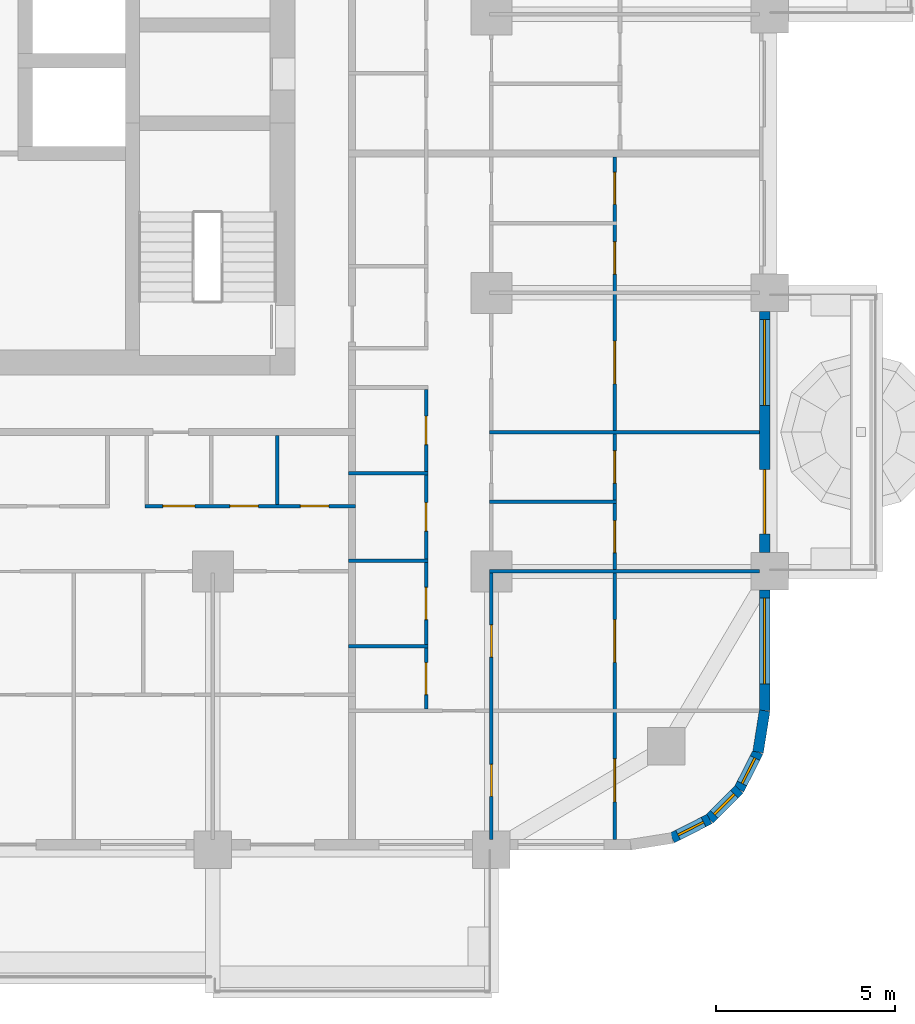
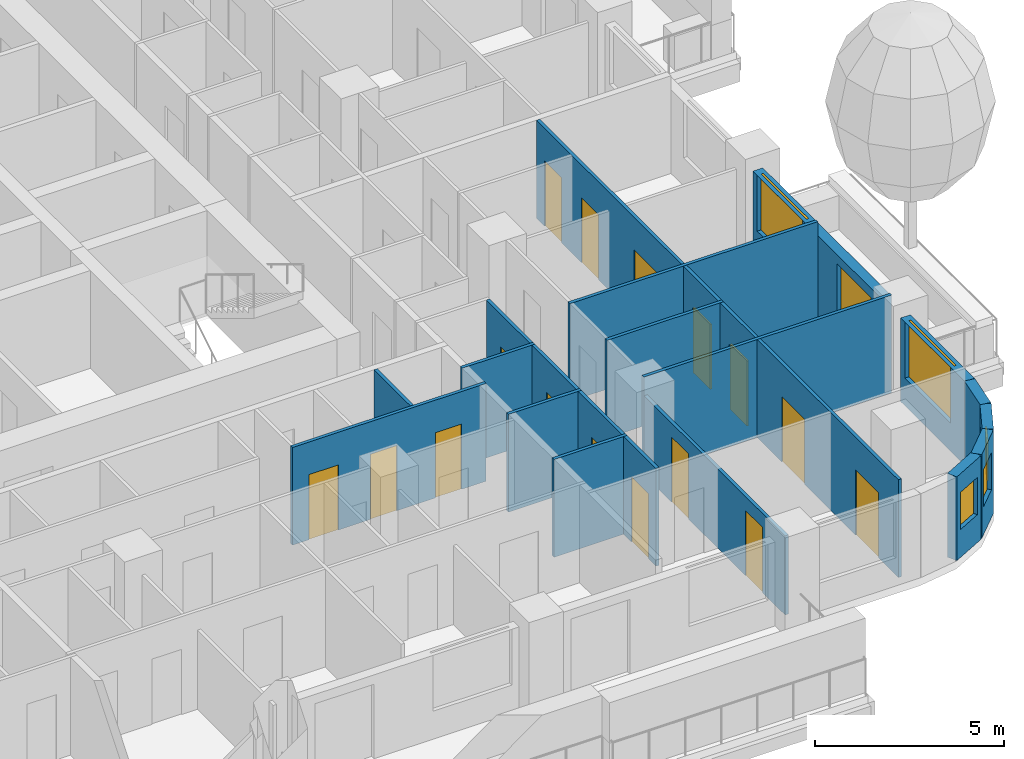
# One storey, part 8 of 19: 17 doors, 17 walls, 5 windows, 22 openings.
"""IFC4 building model written with IfcOpenShell, lengths in metres."""

from ifc_helpers import new_model, si_unit, direction, frame, frame_2d, origin, place, context, subcontext, project, spatial, rectangle, extrude, material, layer, layer_set, type_object, element, fill, save


model = new_model("IFC4")

# Units and contexts
model_context = context("Model", 3, precision=1e-05, world=origin(), true_north=direction((0.0, 1.0)))
body_context = subcontext(model_context, "Body", "Model", "MODEL_VIEW")
ifc_project = project(units=[si_unit("LENGTHUNIT", "METRE"), si_unit("AREAUNIT", "SQUARE_METRE"), si_unit("VOLUMEUNIT", "CUBIC_METRE"), si_unit("PLANEANGLEUNIT", "RADIAN"), si_unit("MASSUNIT", "GRAM", prefix="KILO")], contexts=[model_context])

# Site, building, storey
site_placement = place(None, origin())
site = spatial("IfcSite", under=ifc_project, at=site_placement, CompositionType="ELEMENT")
building_placement = place(site_placement, origin())
building = spatial("IfcBuilding", under=site, at=building_placement, Name="Ludao Terraces", CompositionType="ELEMENT")
storey_placement = place(building_placement, frame((0.0, 0.0, 36.5)))
storey = spatial("IfcBuildingStorey", under=building, at=storey_placement, Name="L09", CompositionType="ELEMENT", Elevation=36.5)

# Wall, opening, window
ifc_material_1 = material(Name="Granite cladding", Category="masonry")
ifc_layer_1 = layer(ifc_material_1, 0.0400390625, Category="stone")
ifc_material_2 = material(Name="Mineral wool")
ifc_layer_2 = layer(ifc_material_2, 0.06005859375)
ifc_material_3 = material(Name="Concrete C40", Category="concrete")
ifc_layer_3 = layer(ifc_material_3, 0.199951171875, Category="concrete")
ifc_layer_set_1 = layer_set([ifc_layer_1, ifc_layer_2, ifc_layer_3], Name="ENV Stone-clad wall 300")
wall_type_1 = type_object("IfcWallType", Name="ENV Stone-clad wall 300", PredefinedType="SOLIDWALL", material=ifc_layer_set_1)
wall_1_placement = place(storey_placement, frame((108.25, 45.5, 0.0), z_axis=(0.0, 0.0, 1.0), x_axis=(0.0, 1.0, 0.0)))
wall_1 = element("IfcWall", 1, at=wall_1_placement, inside=storey, type_object=wall_type_1, Name="EW-L09-E1", PredefinedType="SOLIDWALL", context=body_context, shape_type="SweptSolid", body=[
    extrude(rectangle(XDim=3.375, YDim=0.300048828125, at=frame_2d((1.6875, 0.0))), origin(), (0.0, 0.0, 1.0), 2.699951171875),
])
opening_1_placement = place(wall_1_placement, frame((0.75, 0.0, 0.89990234375)))
opening_1 = element("IfcOpeningElement", 2, at=opening_1_placement, cuts=wall_1, Name="Opening W1", PredefinedType="OPENING", context=body_context, shape_type="SweptSolid", body=[
    extrude(rectangle(XDim=2.39990234375, YDim=1.800048828125, at=frame_2d((1.199951171875, 0.89990234375))), frame((0.0, 0.16015625, 0.0), z_axis=(0.0, -1.0, 0.0), x_axis=(1.0, 0.0, 0.0)), (0.0, 0.0, 1.0), 0.320068359375),
])
ifc_material_4 = material(Name="Clear glass in aluminium frame", Category="aluminium")
ifc_layer_4 = layer(ifc_material_4, 0.06005859375)
ifc_layer_set_2 = layer_set([ifc_layer_4], Name="ENV Window W1 2400x1800")
window_type_1 = type_object("IfcWindowType", Name="ENV Window W1 2400x1800", PartitioningType="DOUBLE_PANEL_VERTICAL", PredefinedType="WINDOW", material=ifc_layer_set_2)
window_1_placement = place(opening_1_placement, origin())
window_1 = element("IfcWindow", 3, at=window_1_placement, inside=storey, type_object=window_type_1, Name="W-L09-E1-1", OverallHeight=1.800048828125, OverallWidth=2.39990234375, PartitioningType="DOUBLE_PANEL_VERTICAL", PredefinedType="WINDOW", context=body_context, shape_type="SweptSolid", body=[
    extrude(rectangle(XDim=2.39990234375, YDim=1.800048828125, at=frame_2d((1.199951171875, 0.89990234375))), frame((0.0, 0.030029296875, 0.0), z_axis=(0.0, -1.0, 0.0), x_axis=(1.0, 0.0, 0.0)), (0.0, 0.0, 1.0), 0.06005859375),
])
fill(opening_1, window_1)

# Wall, openings, door, window
wall_2_placement = place(storey_placement, frame((108.25, 49.925048828125, 0.0), z_axis=(0.0, 0.0, 1.0), x_axis=(0.0, 1.0, 0.0)))
wall_2 = element("IfcWall", 4, at=wall_2_placement, inside=storey, type_object=wall_type_1, Name="EW-L09-E2", PredefinedType="SOLIDWALL", context=body_context, shape_type="SweptSolid", body=[
    extrude(rectangle(XDim=6.75, YDim=0.300048828125, at=frame_2d((3.375, 0.0))), origin(), (0.0, 0.0, 1.0), 2.699951171875),
])
opening_2_placement = place(wall_2_placement, frame((0.52490234375, 0.0, 0.0)))
opening_2 = element("IfcOpeningElement", 5, at=opening_2_placement, cuts=wall_2, Name="Opening BD", PredefinedType="OPENING", context=body_context, shape_type="SweptSolid", body=[
    extrude(rectangle(XDim=1.800048828125, YDim=2.39990234375, at=frame_2d((0.89990234375, 1.199951171875))), frame((0.0, 0.16015625, 0.0), z_axis=(0.0, -1.0, 0.0), x_axis=(1.0, 0.0, 0.0)), (0.0, 0.0, 1.0), 0.320068359375),
])
opening_3_placement = place(wall_2_placement, frame((4.125, 0.0, 0.89990234375)))
opening_3 = element("IfcOpeningElement", 6, at=opening_3_placement, cuts=wall_2, Name="Opening W1", PredefinedType="OPENING", context=body_context, shape_type="SweptSolid", body=[
    extrude(rectangle(XDim=2.39990234375, YDim=1.800048828125, at=frame_2d((1.199951171875, 0.89990234375))), frame((0.0, 0.16015625, 0.0), z_axis=(0.0, -1.0, 0.0), x_axis=(1.0, 0.0, 0.0)), (0.0, 0.0, 1.0), 0.320068359375),
])
ifc_material_5 = material(Name="Aluminium glazed door", Category="aluminium")
ifc_layer_5 = layer(ifc_material_5, 0.06005859375)
ifc_layer_set_3 = layer_set([ifc_layer_5], Name="ENV Balcony door BD 1800x2400")
door_type_1 = type_object("IfcDoorType", Name="ENV Balcony door BD 1800x2400", OperationType="DOUBLE_DOOR_SINGLE_SWING", PredefinedType="DOOR", material=ifc_layer_set_3)
door_1_placement = place(opening_2_placement, origin())
door_1 = element("IfcDoor", 7, at=door_1_placement, inside=storey, type_object=door_type_1, Name="BD-L09-E2-1", OperationType="DOUBLE_DOOR_SINGLE_SWING", OverallHeight=2.39990234375, OverallWidth=1.800048828125, PredefinedType="DOOR", context=body_context, shape_type="SweptSolid", body=[
    extrude(rectangle(XDim=1.800048828125, YDim=2.39990234375, at=frame_2d((0.89990234375, 1.199951171875))), frame((0.0, 0.02490234375, 0.0), z_axis=(0.0, -1.0, 0.0), x_axis=(1.0, 0.0, 0.0)), (0.0, 0.0, 1.0), 0.050048828125),
])
fill(opening_2, door_1)
window_2_placement = place(opening_3_placement, origin())
window_2 = element("IfcWindow", 8, at=window_2_placement, inside=storey, type_object=window_type_1, Name="W-L09-E2-2", OverallHeight=1.800048828125, OverallWidth=2.39990234375, PartitioningType="DOUBLE_PANEL_VERTICAL", PredefinedType="WINDOW", context=body_context, shape_type="SweptSolid", body=[
    extrude(rectangle(XDim=2.39990234375, YDim=1.800048828125, at=frame_2d((1.199951171875, 0.89990234375))), frame((0.0, 0.030029296875, 0.0), z_axis=(0.0, -1.0, 0.0), x_axis=(1.0, 0.0, 0.0)), (0.0, 0.0, 1.0), 0.06005859375),
])
fill(opening_3, window_2)

# Wall, opening, window
wall_3_placement = place(storey_placement, frame((105.65869140625, 41.93359375, 0.0), z_axis=(0.0, 0.0, 1.0), x_axis=(0.890988677504, 0.454025524128, 0.0)))
wall_3 = element("IfcWall", 9, at=wall_3_placement, inside=storey, type_object=wall_type_1, Name="EW-L09-SE2", PredefinedType="SOLIDWALL", context=body_context, shape_type="SweptSolid", body=[
    extrude(rectangle(XDim=1.17333984375, YDim=0.300048828125, at=frame_2d((0.586669921875, 0.0))), origin(), (0.0, 0.0, 1.0), 2.699951171875),
])
opening_4_placement = place(wall_3_placement, frame((0.1865234375, 0.0, 0.89990234375)))
opening_4 = element("IfcOpeningElement", 10, at=opening_4_placement, cuts=wall_3, Name="Opening W3", PredefinedType="OPENING", context=body_context, shape_type="SweptSolid", body=[
    extrude(rectangle(XDim=0.800048828125, YDim=1.199951171875, at=frame_2d((0.39990234375, 0.60009765625))), frame((0.0, 0.16015625, 0.0), z_axis=(0.0, -1.0, 0.0), x_axis=(1.0, 0.0, 0.0)), (0.0, 0.0, 1.0), 0.320068359375),
])
ifc_layer_6 = layer(ifc_material_4, 0.06005859375)
ifc_layer_set_4 = layer_set([ifc_layer_6], Name="ENV Window W3 800x1200")
window_type_2 = type_object("IfcWindowType", Name="ENV Window W3 800x1200", PartitioningType="SINGLE_PANEL", PredefinedType="WINDOW", material=ifc_layer_set_4)
window_3_placement = place(opening_4_placement, origin())
window_3 = element("IfcWindow", 11, at=window_3_placement, inside=storey, type_object=window_type_2, Name="W-L09-SE2", OverallHeight=1.199951171875, OverallWidth=0.800048828125, PartitioningType="SINGLE_PANEL", PredefinedType="WINDOW", context=body_context, shape_type="SweptSolid", body=[
    extrude(rectangle(XDim=0.800048828125, YDim=1.199951171875, at=frame_2d((0.39990234375, 0.60009765625))), frame((0.0, 0.030029296875, 0.0), z_axis=(0.0, -1.0, 0.0), x_axis=(1.0, 0.0, 0.0)), (0.0, 0.0, 1.0), 0.06005859375),
])
fill(opening_4, window_3)

wall_4_placement = place(storey_placement, frame((106.7041015625, 42.46630859375, 0.0), z_axis=(0.0, 0.0, 1.0), x_axis=(0.707106781187, 0.707106781187, 0.0)))
wall_4 = element("IfcWall", 12, at=wall_4_placement, inside=storey, type_object=wall_type_1, Name="EW-L09-SE3", PredefinedType="SOLIDWALL", context=body_context, shape_type="SweptSolid", body=[
    extrude(rectangle(XDim=1.173095703125, YDim=0.300048828125, at=frame_2d((0.58642578125, 0.0))), origin(), (0.0, 0.0, 1.0), 2.699951171875),
])
opening_5_placement = place(wall_4_placement, frame((0.1865234375, 0.0, 0.89990234375)))
opening_5 = element("IfcOpeningElement", 13, at=opening_5_placement, cuts=wall_4, Name="Opening W3", PredefinedType="OPENING", context=body_context, shape_type="SweptSolid", body=[
    extrude(rectangle(XDim=0.800048828125, YDim=1.199951171875, at=frame_2d((0.39990234375, 0.60009765625))), frame((0.0, 0.16015625, 0.0), z_axis=(0.0, -1.0, 0.0), x_axis=(1.0, 0.0, 0.0)), (0.0, 0.0, 1.0), 0.320068359375),
])
window_4_placement = place(opening_5_placement, origin())
window_4 = element("IfcWindow", 14, at=window_4_placement, inside=storey, type_object=window_type_2, Name="W-L09-SE3", OverallHeight=1.199951171875, OverallWidth=0.800048828125, PartitioningType="SINGLE_PANEL", PredefinedType="WINDOW", context=body_context, shape_type="SweptSolid", body=[
    extrude(rectangle(XDim=0.800048828125, YDim=1.199951171875, at=frame_2d((0.39990234375, 0.60009765625))), frame((0.0, 0.030029296875, 0.0), z_axis=(0.0, -1.0, 0.0), x_axis=(1.0, 0.0, 0.0)), (0.0, 0.0, 1.0), 0.06005859375),
])
fill(opening_5, window_4)

wall_5_placement = place(storey_placement, frame((107.53369140625, 43.2958984375, 0.0), z_axis=(0.0, 0.0, 1.0), x_axis=(0.454025524128, 0.890988677504, 0.0)))
wall_5 = element("IfcWall", 15, at=wall_5_placement, inside=storey, type_object=wall_type_1, Name="EW-L09-SE4", PredefinedType="SOLIDWALL", context=body_context, shape_type="SweptSolid", body=[
    extrude(rectangle(XDim=1.17333984375, YDim=0.300048828125, at=frame_2d((0.586669921875, 0.0))), origin(), (0.0, 0.0, 1.0), 2.699951171875),
])
opening_6_placement = place(wall_5_placement, frame((0.1865234375, 0.0, 0.89990234375)))
opening_6 = element("IfcOpeningElement", 16, at=opening_6_placement, cuts=wall_5, Name="Opening W3", PredefinedType="OPENING", context=body_context, shape_type="SweptSolid", body=[
    extrude(rectangle(XDim=0.800048828125, YDim=1.199951171875, at=frame_2d((0.39990234375, 0.60009765625))), frame((0.0, 0.16015625, 0.0), z_axis=(0.0, -1.0, 0.0), x_axis=(1.0, 0.0, 0.0)), (0.0, 0.0, 1.0), 0.320068359375),
])
window_5_placement = place(opening_6_placement, origin())
window_5 = element("IfcWindow", 17, at=window_5_placement, inside=storey, type_object=window_type_2, Name="W-L09-SE4", OverallHeight=1.199951171875, OverallWidth=0.800048828125, PartitioningType="SINGLE_PANEL", PredefinedType="WINDOW", context=body_context, shape_type="SweptSolid", body=[
    extrude(rectangle(XDim=0.800048828125, YDim=1.199951171875, at=frame_2d((0.39990234375, 0.60009765625))), frame((0.0, 0.030029296875, 0.0), z_axis=(0.0, -1.0, 0.0), x_axis=(1.0, 0.0, 0.0)), (0.0, 0.0, 1.0), 0.06005859375),
])
fill(opening_6, window_5)

# Walls
wall_6_placement = place(storey_placement, frame((108.06640625, 44.34130859375, 0.0), z_axis=(0.0, 0.0, 1.0), x_axis=(0.156496880861, 0.987678452879, 0.0)))
element("IfcWall", 18, at=wall_6_placement, inside=storey, type_object=wall_type_1, Name="EW-L09-SE5", PredefinedType="SOLIDWALL", context=body_context, shape_type="SweptSolid", body=[
    extrude(rectangle(XDim=1.173095703125, YDim=0.300048828125, at=frame_2d((0.58642578125, 0.0))), origin(), (0.0, 0.0, 1.0), 2.699951171875),
])
ifc_material_6 = material(Name="Gypsum plasterboard", Category="gypsum")
ifc_layer_7 = layer(ifc_material_6, 0.012451171875, Category="gypsum")
ifc_layer_8 = layer(ifc_material_2, 0.06005859375, Name="insulation")
ifc_material_7 = material(Name="Steel Q235", Category="steel")
ifc_layer_9 = layer(ifc_material_7, 0.014892578125, Name="stud")
ifc_layer_10 = layer(ifc_material_6, 0.012451171875, Category="gypsum")
ifc_layer_set_5 = layer_set([ifc_layer_7, ifc_layer_8, ifc_layer_9, ifc_layer_10], Name="INT Partition 100")
wall_type_2 = type_object("IfcWallType", Name="INT Partition 100", PredefinedType="PARTITIONING", material=ifc_layer_set_5)
wall_7_placement = place(storey_placement, frame((96.60009765625, 47.300048828125, 0.0), z_axis=(0.0, 0.0, 1.0), x_axis=(1.0, 0.0, 0.0)))
element("IfcWall", 19, at=wall_7_placement, inside=storey, type_object=wall_type_2, Name="PW-L09-PW004", PredefinedType="PARTITIONING", context=body_context, shape_type="SweptSolid", body=[
    extrude(rectangle(XDim=2.219970703125, YDim=0.10009765625, at=frame_2d((1.10986328125, 0.0))), origin(), (0.0, 0.0, 1.0), 3.14990234375),
])
wall_8_placement = place(storey_placement, frame((100.550048828125, 49.39990234375, 0.0), z_axis=(0.0, 0.0, 1.0), x_axis=(1.0, 0.0, 0.0)))
element("IfcWall", 20, at=wall_8_placement, inside=storey, type_object=wall_type_2, Name="PW-L09-PW008", PredefinedType="PARTITIONING", context=body_context, shape_type="SweptSolid", body=[
    extrude(rectangle(XDim=7.550048828125, YDim=0.10009765625, at=frame_2d((3.77490234375, 0.0))), origin(), (0.0, 0.0, 1.0), 3.14990234375),
])
wall_9_placement = place(storey_placement, frame((96.60009765625, 49.699951171875, 0.0), z_axis=(0.0, 0.0, 1.0), x_axis=(1.0, 0.0, 0.0)))
element("IfcWall", 21, at=wall_9_placement, inside=storey, type_object=wall_type_2, Name="PW-L09-PW009", PredefinedType="PARTITIONING", context=body_context, shape_type="SweptSolid", body=[
    extrude(rectangle(XDim=2.219970703125, YDim=0.10009765625, at=frame_2d((1.10986328125, 0.0))), origin(), (0.0, 0.0, 1.0), 3.14990234375),
])

# Wall, openings, doors
wall_10_placement = place(storey_placement, frame((90.900146484375, 51.22998046875, 0.0), z_axis=(0.0, 0.0, 1.0), x_axis=(1.0, 0.0, 0.0)))
wall_10 = element("IfcWall", 22, at=wall_10_placement, inside=storey, type_object=wall_type_2, Name="PW-L09-PW013", PredefinedType="PARTITIONING", context=body_context, shape_type="SweptSolid", body=[
    extrude(rectangle(XDim=5.89990234375, YDim=0.10009765625, at=frame_2d((2.949951171875, 0.0))), origin(), (0.0, 0.0, 1.0), 3.14990234375),
])
opening_7_placement = place(wall_10_placement, frame((0.5, 0.0, 0.0)))
opening_7 = element("IfcOpeningElement", 23, at=opening_7_placement, cuts=wall_10, Name="Opening R02-039", PredefinedType="OPENING", context=body_context, shape_type="SweptSolid", body=[
    extrude(rectangle(XDim=0.89990234375, YDim=2.10009765625, at=frame_2d((0.449951171875, 1.050048828125))), frame((0.0, 0.06005859375, 0.0), z_axis=(0.0, -1.0, 0.0), x_axis=(1.0, 0.0, 0.0)), (0.0, 0.0, 1.0), 0.1201171875),
])
opening_8_placement = place(wall_10_placement, frame((2.375, 0.0, 0.0)))
opening_8 = element("IfcOpeningElement", 24, at=opening_8_placement, cuts=wall_10, Name="Opening R02-040", PredefinedType="OPENING", context=body_context, shape_type="SweptSolid", body=[
    extrude(rectangle(XDim=0.800048828125, YDim=2.10009765625, at=frame_2d((0.39990234375, 1.050048828125))), frame((0.0, 0.06005859375, 0.0), z_axis=(0.0, -1.0, 0.0), x_axis=(1.0, 0.0, 0.0)), (0.0, 0.0, 1.0), 0.1201171875),
])
opening_9_placement = place(wall_10_placement, frame((4.35009765625, 0.0, 0.0)))
opening_9 = element("IfcOpeningElement", 25, at=opening_9_placement, cuts=wall_10, Name="Opening R02-041", PredefinedType="OPENING", context=body_context, shape_type="SweptSolid", body=[
    extrude(rectangle(XDim=0.800048828125, YDim=2.10009765625, at=frame_2d((0.39990234375, 1.050048828125))), frame((0.0, 0.06005859375, 0.0), z_axis=(0.0, -1.0, 0.0), x_axis=(1.0, 0.0, 0.0)), (0.0, 0.0, 1.0), 0.1201171875),
])
ifc_material_8 = material(Name="Timber door leaf", Category="wood")
door_type_2 = type_object("IfcDoorType", Name="INT Bathroom door 900", OperationType="SINGLE_SWING_LEFT", PredefinedType="DOOR", material=ifc_material_8)
door_2_placement = place(opening_7_placement, origin())
door_2 = element("IfcDoor", 26, at=door_2_placement, inside=storey, type_object=door_type_2, Name="DOOR 039", OperationType="SINGLE_SWING_LEFT", OverallHeight=2.10009765625, OverallWidth=0.89990234375, PredefinedType="DOOR", context=body_context, shape_type="SweptSolid", body=[
    extrude(rectangle(XDim=0.89990234375, YDim=2.10009765625, at=frame_2d((0.449951171875, 1.050048828125))), frame((0.0, 0.02490234375, 0.0), z_axis=(0.0, -1.0, 0.0), x_axis=(1.0, 0.0, 0.0)), (0.0, 0.0, 1.0), 0.050048828125),
])
fill(opening_7, door_2)
door_type_3 = type_object("IfcDoorType", Name="INT Store door 800", OperationType="SINGLE_SWING_LEFT", PredefinedType="DOOR", material=ifc_material_8)
door_3_placement = place(opening_8_placement, origin())
door_3 = element("IfcDoor", 27, at=door_3_placement, inside=storey, type_object=door_type_3, Name="DOOR 040", OperationType="SINGLE_SWING_LEFT", OverallHeight=2.10009765625, OverallWidth=0.800048828125, PredefinedType="DOOR", context=body_context, shape_type="SweptSolid", body=[
    extrude(rectangle(XDim=0.800048828125, YDim=2.10009765625, at=frame_2d((0.39990234375, 1.050048828125))), frame((0.0, 0.02490234375, 0.0), z_axis=(0.0, -1.0, 0.0), x_axis=(1.0, 0.0, 0.0)), (0.0, 0.0, 1.0), 0.050048828125),
])
fill(opening_8, door_3)
door_4_placement = place(opening_9_placement, origin())
door_4 = element("IfcDoor", 28, at=door_4_placement, inside=storey, type_object=door_type_3, Name="DOOR 041", OperationType="SINGLE_SWING_RIGHT", OverallHeight=2.10009765625, OverallWidth=0.800048828125, PredefinedType="DOOR", context=body_context, shape_type="SweptSolid", body=[
    extrude(rectangle(XDim=0.800048828125, YDim=2.10009765625, at=frame_2d((0.39990234375, 1.050048828125))), frame((0.0, 0.02490234375, 0.0), z_axis=(0.0, -1.0, 0.0), x_axis=(1.0, 0.0, 0.0)), (0.0, 0.0, 1.0), 0.050048828125),
])
fill(opening_9, door_4)

# Walls
wall_11_placement = place(storey_placement, frame((100.550048828125, 51.35009765625, 0.0), z_axis=(0.0, 0.0, 1.0), x_axis=(1.0, 0.0, 0.0)))
element("IfcWall", 29, at=wall_11_placement, inside=storey, type_object=wall_type_2, Name="PW-L09-PW015", PredefinedType="PARTITIONING", context=body_context, shape_type="SweptSolid", body=[
    extrude(rectangle(XDim=3.550048828125, YDim=0.10009765625, at=frame_2d((1.77490234375, 0.0))), origin(), (0.0, 0.0, 1.0), 3.14990234375),
])
wall_12_placement = place(storey_placement, frame((96.60009765625, 52.14990234375, 0.0), z_axis=(0.0, 0.0, 1.0), x_axis=(1.0, 0.0, 0.0)))
element("IfcWall", 30, at=wall_12_placement, inside=storey, type_object=wall_type_2, Name="PW-L09-PW016", PredefinedType="PARTITIONING", context=body_context, shape_type="SweptSolid", body=[
    extrude(rectangle(XDim=2.219970703125, YDim=0.10009765625, at=frame_2d((1.10986328125, 0.0))), origin(), (0.0, 0.0, 1.0), 3.14990234375),
])
wall_13_placement = place(storey_placement, frame((100.550048828125, 53.300048828125, 0.0), z_axis=(0.0, 0.0, 1.0), x_axis=(1.0, 0.0, 0.0)))
element("IfcWall", 31, at=wall_13_placement, inside=storey, type_object=wall_type_2, Name="PW-L09-PW020", PredefinedType="PARTITIONING", context=body_context, shape_type="SweptSolid", body=[
    extrude(rectangle(XDim=7.550048828125, YDim=0.10009765625, at=frame_2d((3.77490234375, 0.0))), origin(), (0.0, 0.0, 1.0), 3.14990234375),
])
wall_14_placement = place(storey_placement, frame((94.60009765625, 51.280029296875, 0.0), z_axis=(0.0, 0.0, 1.0), x_axis=(0.0, 1.0, 0.0)))
element("IfcWall", 32, at=wall_14_placement, inside=storey, type_object=wall_type_2, Name="PW-L09-PW114", PredefinedType="PARTITIONING", context=body_context, shape_type="SweptSolid", body=[
    extrude(rectangle(XDim=1.920166015625, YDim=0.10009765625, at=frame_2d((0.9599609375, 0.0))), origin(), (0.0, 0.0, 1.0), 3.14990234375),
])

# Wall, openings, doors
wall_15_placement = place(storey_placement, frame((98.77001953125, 45.550048828125, 0.0), z_axis=(0.0, 0.0, 1.0), x_axis=(0.0, 1.0, 0.0)))
wall_15 = element("IfcWall", 33, at=wall_15_placement, inside=storey, type_object=wall_type_2, Name="PW-L09-PW118", PredefinedType="PARTITIONING", context=body_context, shape_type="SweptSolid", body=[
    extrude(rectangle(XDim=8.949951171875, YDim=0.10009765625, at=frame_2d((4.47509765625, 0.0))), origin(), (0.0, 0.0, 1.0), 3.14990234375),
])
opening_10_placement = place(wall_15_placement, frame((0.39990234375, 0.0, 0.0)))
opening_10 = element("IfcOpeningElement", 34, at=opening_10_placement, cuts=wall_15, Name="Opening R02-016", PredefinedType="OPENING", context=body_context, shape_type="SweptSolid", body=[
    extrude(rectangle(XDim=0.89990234375, YDim=2.10009765625, at=frame_2d((0.449951171875, 1.050048828125))), frame((0.0, 0.06005859375, 0.0), z_axis=(0.0, -1.0, 0.0), x_axis=(1.0, 0.0, 0.0)), (0.0, 0.0, 1.0), 0.1201171875),
])
opening_11_placement = place(wall_15_placement, frame((2.5, 0.0, 0.0)))
opening_11 = element("IfcOpeningElement", 35, at=opening_11_placement, cuts=wall_15, Name="Opening R02-022", PredefinedType="OPENING", context=body_context, shape_type="SweptSolid", body=[
    extrude(rectangle(XDim=0.89990234375, YDim=2.10009765625, at=frame_2d((0.449951171875, 1.050048828125))), frame((0.0, 0.06005859375, 0.0), z_axis=(0.0, -1.0, 0.0), x_axis=(1.0, 0.0, 0.0)), (0.0, 0.0, 1.0), 0.1201171875),
])
opening_12_placement = place(wall_15_placement, frame((4.97509765625, 0.0, 0.0)))
opening_12 = element("IfcOpeningElement", 36, at=opening_12_placement, cuts=wall_15, Name="Opening R02-032", PredefinedType="OPENING", context=body_context, shape_type="SweptSolid", body=[
    extrude(rectangle(XDim=0.800048828125, YDim=2.10009765625, at=frame_2d((0.39990234375, 1.050048828125))), frame((0.0, 0.06005859375, 0.0), z_axis=(0.0, -1.0, 0.0), x_axis=(1.0, 0.0, 0.0)), (0.0, 0.0, 1.0), 0.1201171875),
])
opening_13_placement = place(wall_15_placement, frame((7.39990234375, 0.0, 0.0)))
opening_13 = element("IfcOpeningElement", 37, at=opening_13_placement, cuts=wall_15, Name="Opening R02-049", PredefinedType="OPENING", context=body_context, shape_type="SweptSolid", body=[
    extrude(rectangle(XDim=0.800048828125, YDim=2.10009765625, at=frame_2d((0.39990234375, 1.050048828125))), frame((0.0, 0.06005859375, 0.0), z_axis=(0.0, -1.0, 0.0), x_axis=(1.0, 0.0, 0.0)), (0.0, 0.0, 1.0), 0.1201171875),
])
door_5_placement = place(opening_10_placement, origin())
door_5 = element("IfcDoor", 38, at=door_5_placement, inside=storey, type_object=door_type_2, Name="DOOR 016", OperationType="SINGLE_SWING_LEFT", OverallHeight=2.10009765625, OverallWidth=0.89990234375, PredefinedType="DOOR", context=body_context, shape_type="SweptSolid", body=[
    extrude(rectangle(XDim=0.89990234375, YDim=2.10009765625, at=frame_2d((0.449951171875, 1.050048828125))), frame((0.0, 0.02490234375, 0.0), z_axis=(0.0, -1.0, 0.0), x_axis=(1.0, 0.0, 0.0)), (0.0, 0.0, 1.0), 0.050048828125),
])
fill(opening_10, door_5)
door_6_placement = place(opening_11_placement, origin())
door_6 = element("IfcDoor", 39, at=door_6_placement, inside=storey, type_object=door_type_2, Name="DOOR 022", OperationType="SINGLE_SWING_LEFT", OverallHeight=2.10009765625, OverallWidth=0.89990234375, PredefinedType="DOOR", context=body_context, shape_type="SweptSolid", body=[
    extrude(rectangle(XDim=0.89990234375, YDim=2.10009765625, at=frame_2d((0.449951171875, 1.050048828125))), frame((0.0, 0.02490234375, 0.0), z_axis=(0.0, -1.0, 0.0), x_axis=(1.0, 0.0, 0.0)), (0.0, 0.0, 1.0), 0.050048828125),
])
fill(opening_11, door_6)
door_7_placement = place(opening_12_placement, origin())
door_7 = element("IfcDoor", 40, at=door_7_placement, inside=storey, type_object=door_type_3, Name="DOOR 032", OperationType="SINGLE_SWING_RIGHT", OverallHeight=2.10009765625, OverallWidth=0.800048828125, PredefinedType="DOOR", context=body_context, shape_type="SweptSolid", body=[
    extrude(rectangle(XDim=0.800048828125, YDim=2.10009765625, at=frame_2d((0.39990234375, 1.050048828125))), frame((0.0, 0.02490234375, 0.0), z_axis=(0.0, -1.0, 0.0), x_axis=(1.0, 0.0, 0.0)), (0.0, 0.0, 1.0), 0.050048828125),
])
fill(opening_12, door_7)
door_8_placement = place(opening_13_placement, origin())
door_8 = element("IfcDoor", 41, at=door_8_placement, inside=storey, type_object=door_type_3, Name="DOOR 049", OperationType="SINGLE_SWING_RIGHT", OverallHeight=2.10009765625, OverallWidth=0.800048828125, PredefinedType="DOOR", context=body_context, shape_type="SweptSolid", body=[
    extrude(rectangle(XDim=0.800048828125, YDim=2.10009765625, at=frame_2d((0.39990234375, 1.050048828125))), frame((0.0, 0.02490234375, 0.0), z_axis=(0.0, -1.0, 0.0), x_axis=(1.0, 0.0, 0.0)), (0.0, 0.0, 1.0), 0.050048828125),
])
fill(opening_13, door_8)

wall_16_placement = place(storey_placement, frame((100.60009765625, 41.900146484375, 0.0), z_axis=(0.0, 0.0, 1.0), x_axis=(0.0, 1.0, 0.0)))
wall_16 = element("IfcWall", 42, at=wall_16_placement, inside=storey, type_object=wall_type_2, Name="PW-L09-PW122", PredefinedType="PARTITIONING", context=body_context, shape_type="SweptSolid", body=[
    extrude(rectangle(XDim=7.499755859375, YDim=0.10009765625, at=frame_2d((3.75, 0.0))), origin(), (0.0, 0.0, 1.0), 2.550048828125),
])
opening_14_placement = place(wall_16_placement, frame((1.199951171875, 0.0, 0.0)))
opening_14 = element("IfcOpeningElement", 43, at=opening_14_placement, cuts=wall_16, Name="Opening R02-003", PredefinedType="OPENING", context=body_context, shape_type="SweptSolid", body=[
    extrude(rectangle(XDim=0.89990234375, YDim=2.10009765625, at=frame_2d((0.449951171875, 1.050048828125))), frame((0.0, 0.06005859375, 0.0), z_axis=(0.0, -1.0, 0.0), x_axis=(1.0, 0.0, 0.0)), (0.0, 0.0, 1.0), 0.1201171875),
])
opening_15_placement = place(wall_16_placement, frame((5.10009765625, 0.0, 0.0)))
opening_15 = element("IfcOpeningElement", 44, at=opening_15_placement, cuts=wall_16, Name="Opening R02-020", PredefinedType="OPENING", context=body_context, shape_type="SweptSolid", body=[
    extrude(rectangle(XDim=0.89990234375, YDim=2.10009765625, at=frame_2d((0.449951171875, 1.050048828125))), frame((0.0, 0.06005859375, 0.0), z_axis=(0.0, -1.0, 0.0), x_axis=(1.0, 0.0, 0.0)), (0.0, 0.0, 1.0), 0.1201171875),
])
door_type_4 = type_object("IfcDoorType", Name="INT Room door 900", OperationType="SINGLE_SWING_LEFT", PredefinedType="DOOR", material=ifc_material_8)
door_9_placement = place(opening_14_placement, origin())
door_9 = element("IfcDoor", 45, at=door_9_placement, inside=storey, type_object=door_type_4, Name="DOOR 003", OperationType="SINGLE_SWING_RIGHT", OverallHeight=2.10009765625, OverallWidth=0.89990234375, PredefinedType="DOOR", context=body_context, shape_type="SweptSolid", body=[
    extrude(rectangle(XDim=0.89990234375, YDim=2.10009765625, at=frame_2d((0.449951171875, 1.050048828125))), frame((0.0, 0.02490234375, 0.0), z_axis=(0.0, -1.0, 0.0), x_axis=(1.0, 0.0, 0.0)), (0.0, 0.0, 1.0), 0.050048828125),
])
fill(opening_14, door_9)
door_10_placement = place(opening_15_placement, origin())
door_10 = element("IfcDoor", 46, at=door_10_placement, inside=storey, type_object=door_type_4, Name="DOOR 020", OperationType="SINGLE_SWING_RIGHT", OverallHeight=2.10009765625, OverallWidth=0.89990234375, PredefinedType="DOOR", context=body_context, shape_type="SweptSolid", body=[
    extrude(rectangle(XDim=0.89990234375, YDim=2.10009765625, at=frame_2d((0.449951171875, 1.050048828125))), frame((0.0, 0.02490234375, 0.0), z_axis=(0.0, -1.0, 0.0), x_axis=(1.0, 0.0, 0.0)), (0.0, 0.0, 1.0), 0.050048828125),
])
fill(opening_15, door_10)

wall_17_placement = place(storey_placement, frame((104.050048828125, 41.900146484375, 0.0), z_axis=(0.0, 0.0, 1.0), x_axis=(0.0, 1.0, 0.0)))
wall_17 = element("IfcWall", 47, at=wall_17_placement, inside=storey, type_object=wall_type_2, Name="PW-L09-PW124", PredefinedType="PARTITIONING", context=body_context, shape_type="SweptSolid", body=[
    extrude(rectangle(XDim=19.099853515625, YDim=0.10009765625, at=frame_2d((9.5498046875, 0.0))), origin(), (0.0, 0.0, 1.0), 3.14990234375),
])
opening_16_placement = place(wall_17_placement, frame((1.050048828125, 0.0, 0.0)))
opening_16 = element("IfcOpeningElement", 48, at=opening_16_placement, cuts=wall_17, Name="Opening R02-004", PredefinedType="OPENING", context=body_context, shape_type="SweptSolid", body=[
    extrude(rectangle(XDim=1.199951171875, YDim=2.10009765625, at=frame_2d((0.60009765625, 1.050048828125))), frame((0.0, 0.06005859375, 0.0), z_axis=(0.0, -1.0, 0.0), x_axis=(1.0, 0.0, 0.0)), (0.0, 0.0, 1.0), 0.1201171875),
])
opening_17_placement = place(wall_17_placement, frame((4.949951171875, 0.0, 0.0)))
opening_17 = element("IfcOpeningElement", 49, at=opening_17_placement, cuts=wall_17, Name="Opening R02-021", PredefinedType="OPENING", context=body_context, shape_type="SweptSolid", body=[
    extrude(rectangle(XDim=1.199951171875, YDim=2.10009765625, at=frame_2d((0.60009765625, 1.050048828125))), frame((0.0, 0.06005859375, 0.0), z_axis=(0.0, -1.0, 0.0), x_axis=(1.0, 0.0, 0.0)), (0.0, 0.0, 1.0), 0.1201171875),
])
opening_18_placement = place(wall_17_placement, frame((8.02490234375, 0.0, 0.0)))
opening_18 = element("IfcOpeningElement", 50, at=opening_18_placement, cuts=wall_17, Name="Opening R02-031", PredefinedType="OPENING", context=body_context, shape_type="SweptSolid", body=[
    extrude(rectangle(XDim=0.89990234375, YDim=2.10009765625, at=frame_2d((0.449951171875, 1.050048828125))), frame((0.0, 0.06005859375, 0.0), z_axis=(0.0, -1.0, 0.0), x_axis=(1.0, 0.0, 0.0)), (0.0, 0.0, 1.0), 0.1201171875),
])
opening_19_placement = place(wall_17_placement, frame((9.97509765625, 0.0, 0.0)))
opening_19 = element("IfcOpeningElement", 51, at=opening_19_placement, cuts=wall_17, Name="Opening R02-046", PredefinedType="OPENING", context=body_context, shape_type="SweptSolid", body=[
    extrude(rectangle(XDim=0.89990234375, YDim=2.10009765625, at=frame_2d((0.449951171875, 1.050048828125))), frame((0.0, 0.06005859375, 0.0), z_axis=(0.0, -1.0, 0.0), x_axis=(1.0, 0.0, 0.0)), (0.0, 0.0, 1.0), 0.1201171875),
])
opening_20_placement = place(wall_17_placement, frame((12.75, 0.0, 0.0)))
opening_20 = element("IfcOpeningElement", 52, at=opening_20_placement, cuts=wall_17, Name="Opening R02-055", PredefinedType="OPENING", context=body_context, shape_type="SweptSolid", body=[
    extrude(rectangle(XDim=1.199951171875, YDim=2.10009765625, at=frame_2d((0.60009765625, 1.050048828125))), frame((0.0, 0.06005859375, 0.0), z_axis=(0.0, -1.0, 0.0), x_axis=(1.0, 0.0, 0.0)), (0.0, 0.0, 1.0), 0.1201171875),
])
opening_21_placement = place(wall_17_placement, frame((15.824951171875, 0.0, 0.0)))
opening_21 = element("IfcOpeningElement", 53, at=opening_21_placement, cuts=wall_17, Name="Opening R02-064", PredefinedType="OPENING", context=body_context, shape_type="SweptSolid", body=[
    extrude(rectangle(XDim=0.89990234375, YDim=2.10009765625, at=frame_2d((0.449951171875, 1.050048828125))), frame((0.0, 0.06005859375, 0.0), z_axis=(0.0, -1.0, 0.0), x_axis=(1.0, 0.0, 0.0)), (0.0, 0.0, 1.0), 0.1201171875),
])
opening_22_placement = place(wall_17_placement, frame((17.77490234375, 0.0, 0.0)))
opening_22 = element("IfcOpeningElement", 54, at=opening_22_placement, cuts=wall_17, Name="Opening R02-070", PredefinedType="OPENING", context=body_context, shape_type="SweptSolid", body=[
    extrude(rectangle(XDim=0.89990234375, YDim=2.10009765625, at=frame_2d((0.449951171875, 1.050048828125))), frame((0.0, 0.06005859375, 0.0), z_axis=(0.0, -1.0, 0.0), x_axis=(1.0, 0.0, 0.0)), (0.0, 0.0, 1.0), 0.1201171875),
])
door_11_placement = place(opening_18_placement, origin())
door_11 = element("IfcDoor", 55, at=door_11_placement, inside=storey, type_object=door_type_2, Name="DOOR 031", OperationType="SINGLE_SWING_LEFT", OverallHeight=2.10009765625, OverallWidth=0.89990234375, PredefinedType="DOOR", context=body_context, shape_type="SweptSolid", body=[
    extrude(rectangle(XDim=0.89990234375, YDim=2.10009765625, at=frame_2d((0.449951171875, 1.050048828125))), frame((0.0, 0.02490234375, 0.0), z_axis=(0.0, -1.0, 0.0), x_axis=(1.0, 0.0, 0.0)), (0.0, 0.0, 1.0), 0.050048828125),
])
fill(opening_18, door_11)
door_12_placement = place(opening_21_placement, origin())
door_12 = element("IfcDoor", 56, at=door_12_placement, inside=storey, type_object=door_type_2, Name="DOOR 064", OperationType="SINGLE_SWING_LEFT", OverallHeight=2.10009765625, OverallWidth=0.89990234375, PredefinedType="DOOR", context=body_context, shape_type="SweptSolid", body=[
    extrude(rectangle(XDim=0.89990234375, YDim=2.10009765625, at=frame_2d((0.449951171875, 1.050048828125))), frame((0.0, 0.02490234375, 0.0), z_axis=(0.0, -1.0, 0.0), x_axis=(1.0, 0.0, 0.0)), (0.0, 0.0, 1.0), 0.050048828125),
])
fill(opening_21, door_12)
door_type_5 = type_object("IfcDoorType", Name="INT Double door 1200", OperationType="DOUBLE_DOOR_SINGLE_SWING", PredefinedType="DOOR", material=ifc_material_8)
door_13_placement = place(opening_16_placement, origin())
door_13 = element("IfcDoor", 57, at=door_13_placement, inside=storey, type_object=door_type_5, Name="DOOR 004", OperationType="DOUBLE_DOOR_SINGLE_SWING", OverallHeight=2.10009765625, OverallWidth=1.199951171875, PredefinedType="DOOR", context=body_context, shape_type="SweptSolid", body=[
    extrude(rectangle(XDim=1.199951171875, YDim=2.10009765625, at=frame_2d((0.60009765625, 1.050048828125))), frame((0.0, 0.02490234375, 0.0), z_axis=(0.0, -1.0, 0.0), x_axis=(1.0, 0.0, 0.0)), (0.0, 0.0, 1.0), 0.050048828125),
])
fill(opening_16, door_13)
door_14_placement = place(opening_17_placement, origin())
door_14 = element("IfcDoor", 58, at=door_14_placement, inside=storey, type_object=door_type_5, Name="DOOR 021", OperationType="DOUBLE_DOOR_SINGLE_SWING", OverallHeight=2.10009765625, OverallWidth=1.199951171875, PredefinedType="DOOR", context=body_context, shape_type="SweptSolid", body=[
    extrude(rectangle(XDim=1.199951171875, YDim=2.10009765625, at=frame_2d((0.60009765625, 1.050048828125))), frame((0.0, 0.02490234375, 0.0), z_axis=(0.0, -1.0, 0.0), x_axis=(1.0, 0.0, 0.0)), (0.0, 0.0, 1.0), 0.050048828125),
])
fill(opening_17, door_14)
door_15_placement = place(opening_20_placement, origin())
door_15 = element("IfcDoor", 59, at=door_15_placement, inside=storey, type_object=door_type_5, Name="DOOR 055", OperationType="DOUBLE_DOOR_SINGLE_SWING", OverallHeight=2.10009765625, OverallWidth=1.199951171875, PredefinedType="DOOR", context=body_context, shape_type="SweptSolid", body=[
    extrude(rectangle(XDim=1.199951171875, YDim=2.10009765625, at=frame_2d((0.60009765625, 1.050048828125))), frame((0.0, 0.02490234375, 0.0), z_axis=(0.0, -1.0, 0.0), x_axis=(1.0, 0.0, 0.0)), (0.0, 0.0, 1.0), 0.050048828125),
])
fill(opening_20, door_15)
door_16_placement = place(opening_19_placement, origin())
door_16 = element("IfcDoor", 60, at=door_16_placement, inside=storey, type_object=door_type_4, Name="DOOR 046", OperationType="SINGLE_SWING_RIGHT", OverallHeight=2.10009765625, OverallWidth=0.89990234375, PredefinedType="DOOR", context=body_context, shape_type="SweptSolid", body=[
    extrude(rectangle(XDim=0.89990234375, YDim=2.10009765625, at=frame_2d((0.449951171875, 1.050048828125))), frame((0.0, 0.02490234375, 0.0), z_axis=(0.0, -1.0, 0.0), x_axis=(1.0, 0.0, 0.0)), (0.0, 0.0, 1.0), 0.050048828125),
])
fill(opening_19, door_16)
door_17_placement = place(opening_22_placement, origin())
door_17 = element("IfcDoor", 61, at=door_17_placement, inside=storey, type_object=door_type_4, Name="DOOR 070", OperationType="SINGLE_SWING_LEFT", OverallHeight=2.10009765625, OverallWidth=0.89990234375, PredefinedType="DOOR", context=body_context, shape_type="SweptSolid", body=[
    extrude(rectangle(XDim=0.89990234375, YDim=2.10009765625, at=frame_2d((0.449951171875, 1.050048828125))), frame((0.0, 0.02490234375, 0.0), z_axis=(0.0, -1.0, 0.0), x_axis=(1.0, 0.0, 0.0)), (0.0, 0.0, 1.0), 0.050048828125),
])
fill(opening_22, door_17)

save(model, "model.ifc")
